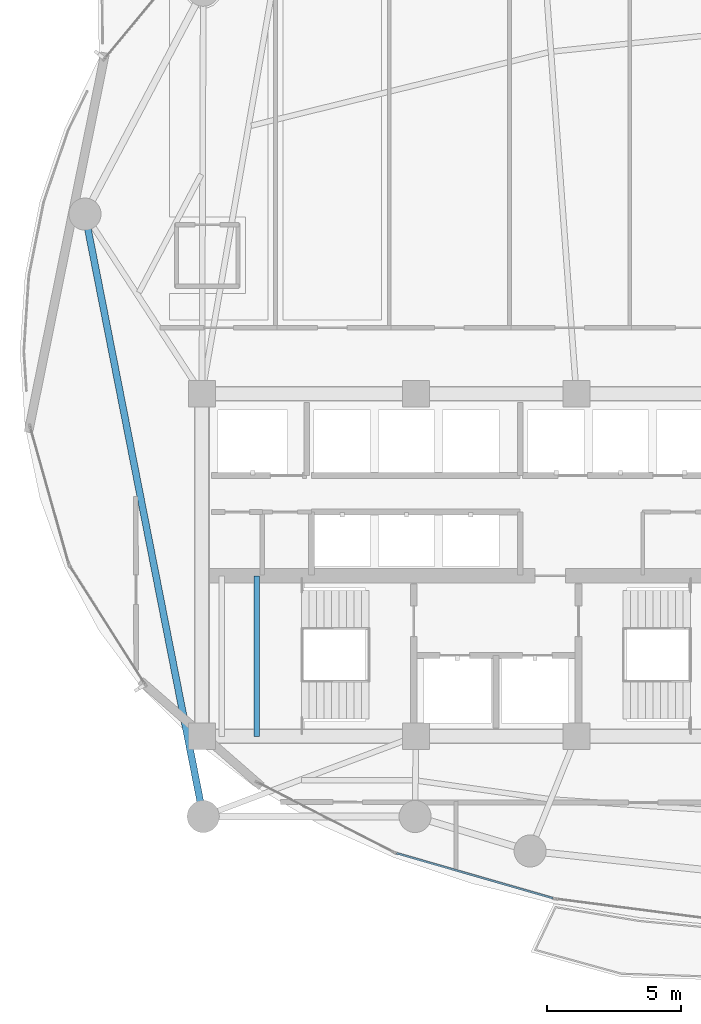
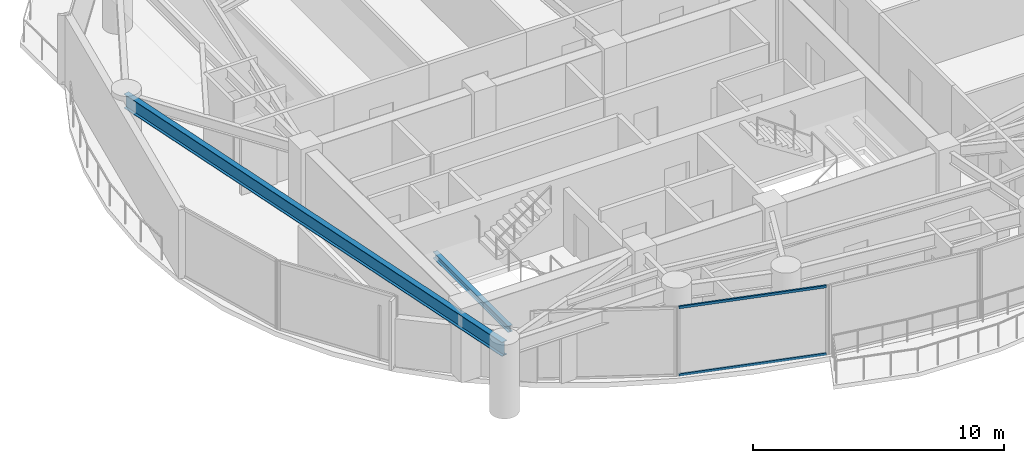
# One storey, part 4 of 28: 2 beams, 2 members, 1 element without a shape of its own.
"""IFC4 building model written with IfcOpenShell, lengths in metres."""

from ifc_helpers import new_model, si_unit, direction, frame, origin, origin_2d, place, context, subcontext, project, spatial, hollow_rectangle, i_section, extrude, material, layer, layer_set, material_profile, profile_set, type_object, element, aggregate, save


model = new_model("IFC4")

# Units and contexts
model_context = context("Model", 3, precision=1e-05, world=origin(), true_north=direction((0.0, 1.0)))
body_context = subcontext(model_context, "Body", "Model", "MODEL_VIEW")
ifc_project = project(units=[si_unit("LENGTHUNIT", "METRE"), si_unit("AREAUNIT", "SQUARE_METRE"), si_unit("VOLUMEUNIT", "CUBIC_METRE"), si_unit("PLANEANGLEUNIT", "RADIAN"), si_unit("MASSUNIT", "GRAM", prefix="KILO")], contexts=[model_context])

# Site, building, storey
site_placement = place(None, origin())
site = spatial("IfcSite", under=ifc_project, at=site_placement, CompositionType="ELEMENT")
building_placement = place(site_placement, origin())
building = spatial("IfcBuilding", under=site, at=building_placement, Name="Kazevale Care Tower and Concert Hall", CompositionType="ELEMENT")
storey_placement = place(building_placement, frame((0.0, 0.0, 102.60009765625)))
storey = spatial("IfcBuildingStorey", under=building, at=storey_placement, Name="L26", CompositionType="ELEMENT", Elevation=102.60009765625)

# Curtain wall, members
ifc_material_1 = material(Name="Aluminium 6063-T6 and Low-E Glass", Category="aluminium")
ifc_layer = layer(ifc_material_1, 0.179931640625)
ifc_layer_set = layer_set([ifc_layer], Name="Aluminium 6063-T6 and Low-E Glass")
curtain_wall_type = type_object("IfcCurtainWallType", Name="Sheltered Concave Balcony Curtain Wall CW-5", PredefinedType="NOTDEFINED", material=ifc_layer_set)
curtain_wall_placement = place(storey_placement, origin())
curtain_wall = element("IfcCurtainWall", 1, at=curtain_wall_placement, inside=storey, type_object=curtain_wall_type, Name="cw:L26:f08", PredefinedType="NOTDEFINED")
ifc_material_2 = material(Name="Aluminium 6063-T6", Category="aluminium")
ifc_material_profile_1 = material_profile(ifc_material_2, hollow_rectangle(XDim=0.074951171875, YDim=0.1201171875, WallThickness=0.00390625, at=origin_2d()), Name="ALU75x120x4")
ifc_profile_set_1 = profile_set([ifc_material_profile_1], Name="Aluminium 6063-T6")
member_type = type_object("IfcMemberType", Name="CW-5 Transom ALU75x120x4", PredefinedType="USERDEFINED", material=ifc_profile_set_1)
member_1_placement = place(storey_placement, frame((35.121826171875, 17.545654296875, 0.037353515625), z_axis=(-0.961067703236, 0.276312992451, 0.0), x_axis=(-0.276312992451, -0.961067703236, 0.0)))
member_1 = element("IfcMember", 2, at=member_1_placement, type_object=member_type, Name="CW-5 transom 1.1", ObjectType="TRANSOM", PredefinedType="USERDEFINED", context=body_context, shape_type="SweptSolid", body=[
    extrude(hollow_rectangle(XDim=0.074951171875, YDim=0.1201171875, WallThickness=0.00390625, at=origin_2d()), origin(), (0.0, 0.0, 1.0), 6.075439453125),
])
member_2_placement = place(storey_placement, frame((35.121826171875, 17.545654296875, 3.322509765625), z_axis=(-0.961067703236, 0.276312992451, 0.0), x_axis=(-0.276312992451, -0.961067703236, 0.0)))
member_2 = element("IfcMember", 3, at=member_2_placement, type_object=member_type, Name="CW-5 transom 1.2", ObjectType="TRANSOM", PredefinedType="USERDEFINED", context=body_context, shape_type="SweptSolid", body=[
    extrude(hollow_rectangle(XDim=0.074951171875, YDim=0.1201171875, WallThickness=0.00390625, at=origin_2d()), origin(), (0.0, 0.0, 1.0), 6.075439453125),
])
aggregate(curtain_wall, [member_1, member_2])

# Beams
ifc_material_3 = material(Name="Steel ASTM A572 Gr 50", Category="steel")
ifc_material_profile_2 = material_profile(ifc_material_3, i_section(OverallWidth=0.202880859375, OverallDepth=0.302978515625, WebThickness=0.007568359375, FlangeThickness=0.01318359375, at=origin_2d()), Name="W310x60")
ifc_profile_set_2 = profile_set([ifc_material_profile_2], Name="Steel ASTM A572 Gr 50")
beam_type_1 = type_object("IfcBeamType", Name="Stair & Balcony Trimmer W310x60", PredefinedType="BEAM", material=ifc_profile_set_2)
beam_1_placement = place(storey_placement, frame((24.050048828125, 23.60009765625, 1.448486328125), z_axis=(0.0, 1.0, 0.0), x_axis=(-1.0, 0.0, 0.0)))
element("IfcBeam", 4, at=beam_1_placement, inside=storey, type_object=beam_type_1, Name="beam:L26:sttrim:ST1b", PredefinedType="BEAM", context=body_context, shape_type="SweptSolid", body=[
    extrude(i_section(OverallWidth=0.202880859375, OverallDepth=0.302978515625, WebThickness=0.007568359375, FlangeThickness=0.01318359375, at=origin_2d()), origin(), (0.0, 0.0, 1.0), 6.0),
])
ifc_material_profile_3 = material_profile(ifc_material_3, i_section(OverallWidth=0.256103515625, OverallDepth=0.693115234375, WebThickness=0.014404296875, FlangeThickness=0.023681640625, at=origin_2d()), Name="W690x170")
ifc_profile_set_3 = profile_set([ifc_material_profile_3], Name="Steel ASTM A572 Gr 50")
beam_type_2 = type_object("IfcBeamType", Name="Waist Ring Beam W690x170", PredefinedType="BEAM", material=ifc_profile_set_3)
beam_2_placement = place(storey_placement, frame((17.6298828125, 43.1201171875, 3.013427734375), z_axis=(0.192602267784, -0.9812769061, 0.0), x_axis=(0.9812769061, 0.192602267784, 0.0)))
element("IfcBeam", 5, at=beam_2_placement, inside=storey, type_object=beam_type_2, Name="beam:L26:ring:09", PredefinedType="BEAM", context=body_context, shape_type="SweptSolid", body=[
    extrude(i_section(OverallWidth=0.256103515625, OverallDepth=0.693115234375, WebThickness=0.014404296875, FlangeThickness=0.023681640625, at=origin_2d()), origin(), (0.0, 0.0, 1.0), 22.94970703125),
])

save(model, "model.ifc")
